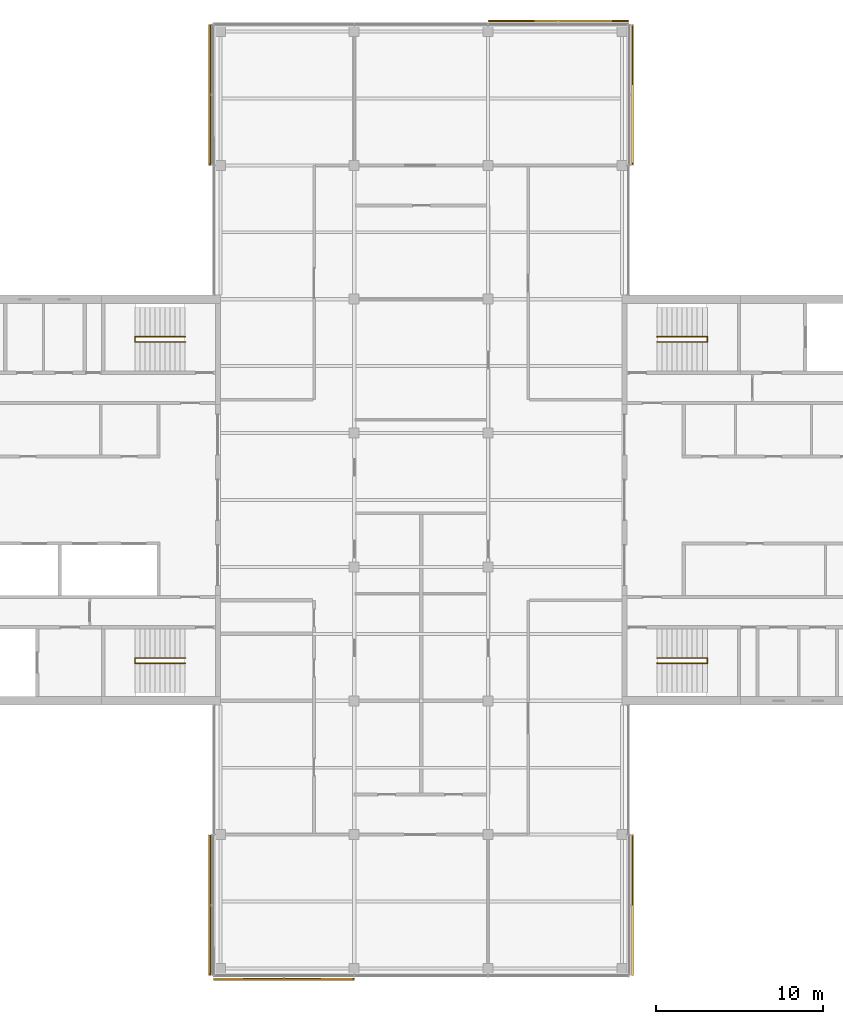
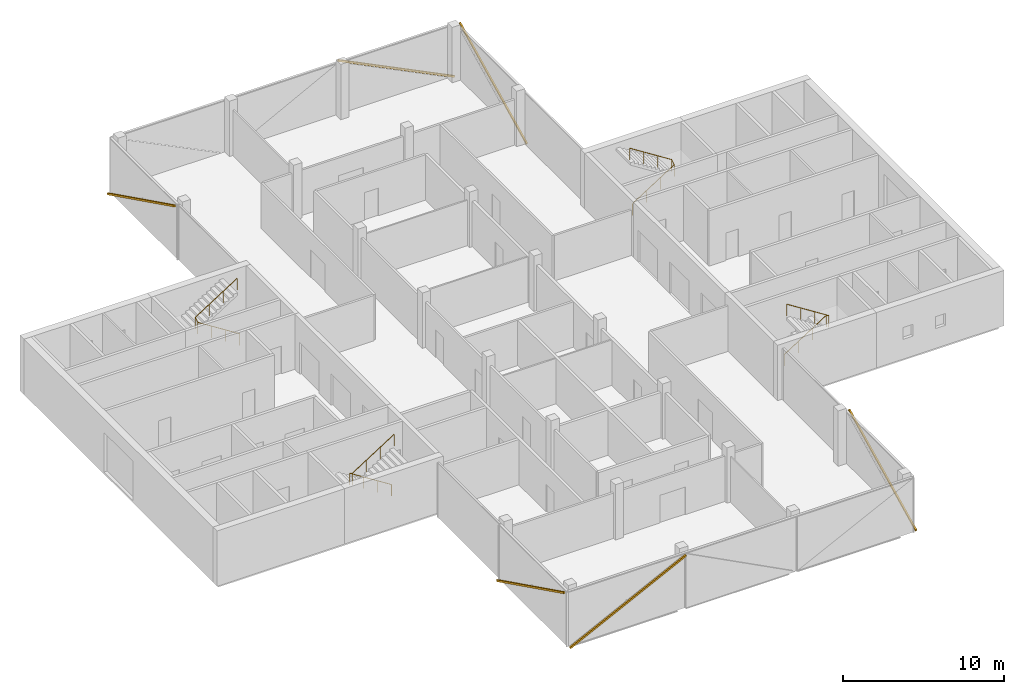
# One storey, part 15 of 15: 6 shading devices, 4 railings, 6 elements without a shape of their own.
"""IFC4 building model written with IfcOpenShell, lengths in metres."""

from ifc_helpers import new_model, si_unit, direction, frame, origin, origin_2d, place, context, subcontext, project, spatial, rectangle, circle, extrude, material, material_profile, profile_set, type_object, element, aggregate, save


model = new_model("IFC4")

# Units and contexts
model_context = context("Model", 3, precision=1e-05, world=origin(), true_north=direction((0.0, 1.0)))
body_context = subcontext(model_context, "Body", "Model", "MODEL_VIEW")
ifc_project = project(units=[si_unit("LENGTHUNIT", "METRE"), si_unit("AREAUNIT", "SQUARE_METRE"), si_unit("VOLUMEUNIT", "CUBIC_METRE"), si_unit("PLANEANGLEUNIT", "RADIAN"), si_unit("MASSUNIT", "GRAM", prefix="KILO")], contexts=[model_context])

# Site, building, storey
site_placement = place(None, origin())
site = spatial("IfcSite", under=ifc_project, at=site_placement, CompositionType="ELEMENT")
building_placement = place(site_placement, origin())
building = spatial("IfcBuilding", under=site, at=building_placement, Name="Crosswind Convention Tower", CompositionType="ELEMENT")
storey_placement = place(building_placement, frame((0.0, 0.0, 319.699951171875)))
storey = spatial("IfcBuildingStorey", under=building, at=storey_placement, Name="L69", CompositionType="ELEMENT", Elevation=319.699951171875)

# Railings
ifc_material_1 = material(Name="Stainless steel", Category="steel")
railing_type = type_object("IfcRailingType", Name="Stair handrail 900", PredefinedType="HANDRAIL", material=ifc_material_1)
railing_1_placement = place(storey_placement, frame((139.10009765625, 109.43994140625, 0.19091796875)))
element("IfcRailing", 1, at=railing_1_placement, inside=storey, type_object=railing_type, Name="Stair ST1 handrail L69", PredefinedType="HANDRAIL", context=body_context, shape_type="SweptSolid", body=[
    extrude(circle(Radius=0.02392578125, at=origin_2d()), frame((0.0, 0.0, 0.8759765625), z_axis=(0.843650179428, 0.0, 0.536893261973), x_axis=(0.0, 1.0, 0.0)), (0.0, 0.0, 1.0), 3.555908203125),
    extrude(circle(Radius=0.02392578125, at=origin_2d()), frame((3.0, 0.0, 2.78515625), z_axis=(0.0, 0.858819504967, 0.512278301208), x_axis=(-1.0, 0.0, 0.0)), (0.0, 0.0, 1.0), 0.372802734375),
    extrude(circle(Radius=0.02392578125, at=origin_2d()), frame((3.0, 0.320068359375, 2.97607421875), z_axis=(-0.843681277094, 0.0, 0.536844393359), x_axis=(0.0, -1.0, 0.0)), (0.0, 0.0, 1.0), 3.555908203125),
    extrude(circle(Radius=0.02099609375, at=origin_2d()), origin(), (0.0, 0.0, 1.0), 0.851806640625),
    extrude(circle(Radius=0.02099609375, at=origin_2d()), frame((1.0, 0.0, 0.636474609375)), (0.0, 0.0, 1.0), 0.851806640625),
    extrude(circle(Radius=0.02099609375, at=origin_2d()), frame((2.0, 0.0, 1.272705078125)), (0.0, 0.0, 1.0), 0.851806640625),
    extrude(circle(Radius=0.02099609375, at=origin_2d()), frame((3.0, 0.0, 1.9091796875)), (0.0, 0.0, 1.0), 0.851806640625),
    extrude(circle(Radius=0.02099609375, at=origin_2d()), frame((3.0, 0.320068359375, 2.10009765625)), (0.0, 0.0, 1.0), 0.851806640625),
    extrude(circle(Radius=0.02099609375, at=origin_2d()), frame((2.0, 0.320068359375, 2.736328125)), (0.0, 0.0, 1.0), 0.851806640625),
    extrude(circle(Radius=0.02099609375, at=origin_2d()), frame((1.0, 0.320068359375, 3.372802734375)), (0.0, 0.0, 1.0), 0.851806640625),
    extrude(circle(Radius=0.02099609375, at=origin_2d()), frame((0.0, 0.320068359375, 4.009033203125)), (0.0, 0.0, 1.0), 0.851806640625),
])
railing_2_placement = place(storey_placement, frame((139.10009765625, 90.56005859375, 0.19091796875)))
element("IfcRailing", 2, at=railing_2_placement, inside=storey, type_object=railing_type, Name="Stair ST2 handrail L69", PredefinedType="HANDRAIL", context=body_context, shape_type="SweptSolid", body=[
    extrude(circle(Radius=0.02392578125, at=origin_2d()), frame((0.0, 0.0, 0.8759765625), z_axis=(0.843650179428, 0.0, 0.536893261973), x_axis=(0.0, 1.0, 0.0)), (0.0, 0.0, 1.0), 3.555908203125),
    extrude(circle(Radius=0.02392578125, at=origin_2d()), frame((3.0, 0.0, 2.78515625), z_axis=(0.0, -0.858819504967, 0.512278301208), x_axis=(1.0, 0.0, 0.0)), (0.0, 0.0, 1.0), 0.372802734375),
    extrude(circle(Radius=0.02392578125, at=origin_2d()), frame((3.0, -0.320068359375, 2.97607421875), z_axis=(-0.843681277094, 0.0, 0.536844393359), x_axis=(0.0, -1.0, 0.0)), (0.0, 0.0, 1.0), 3.555908203125),
    extrude(circle(Radius=0.02099609375, at=origin_2d()), origin(), (0.0, 0.0, 1.0), 0.851806640625),
    extrude(circle(Radius=0.02099609375, at=origin_2d()), frame((1.0, 0.0, 0.636474609375)), (0.0, 0.0, 1.0), 0.851806640625),
    extrude(circle(Radius=0.02099609375, at=origin_2d()), frame((2.0, 0.0, 1.272705078125)), (0.0, 0.0, 1.0), 0.851806640625),
    extrude(circle(Radius=0.02099609375, at=origin_2d()), frame((3.0, 0.0, 1.9091796875)), (0.0, 0.0, 1.0), 0.851806640625),
    extrude(circle(Radius=0.02099609375, at=origin_2d()), frame((3.0, -0.320068359375, 2.10009765625)), (0.0, 0.0, 1.0), 0.851806640625),
    extrude(circle(Radius=0.02099609375, at=origin_2d()), frame((2.0, -0.320068359375, 2.736328125)), (0.0, 0.0, 1.0), 0.851806640625),
    extrude(circle(Radius=0.02099609375, at=origin_2d()), frame((1.0, -0.320068359375, 3.372802734375)), (0.0, 0.0, 1.0), 0.851806640625),
    extrude(circle(Radius=0.02099609375, at=origin_2d()), frame((0.0, -0.320068359375, 4.009033203125)), (0.0, 0.0, 1.0), 0.851806640625),
])
railing_3_placement = place(storey_placement, frame((110.89990234375, 90.56005859375, 0.19091796875)))
element("IfcRailing", 3, at=railing_3_placement, inside=storey, type_object=railing_type, Name="Stair ST3 handrail L69", PredefinedType="HANDRAIL", context=body_context, shape_type="SweptSolid", body=[
    extrude(circle(Radius=0.02392578125, at=origin_2d()), frame((0.0, 0.0, 0.8759765625), z_axis=(-0.843650179428, 0.0, 0.536893261973), x_axis=(0.0, -1.0, 0.0)), (0.0, 0.0, 1.0), 3.555908203125),
    extrude(circle(Radius=0.02392578125, at=origin_2d()), frame((-3.0, 0.0, 2.78515625), z_axis=(0.0, -0.858819504967, 0.512278301208), x_axis=(1.0, 0.0, 0.0)), (0.0, 0.0, 1.0), 0.372802734375),
    extrude(circle(Radius=0.02392578125, at=origin_2d()), frame((-3.0, -0.320068359375, 2.97607421875), z_axis=(0.843681277094, 0.0, 0.536844393359), x_axis=(0.0, 1.0, 0.0)), (0.0, 0.0, 1.0), 3.555908203125),
    extrude(circle(Radius=0.02099609375, at=origin_2d()), origin(), (0.0, 0.0, 1.0), 0.851806640625),
    extrude(circle(Radius=0.02099609375, at=origin_2d()), frame((-1.0, 0.0, 0.636474609375)), (0.0, 0.0, 1.0), 0.851806640625),
    extrude(circle(Radius=0.02099609375, at=origin_2d()), frame((-2.0, 0.0, 1.272705078125)), (0.0, 0.0, 1.0), 0.851806640625),
    extrude(circle(Radius=0.02099609375, at=origin_2d()), frame((-3.0, 0.0, 1.9091796875)), (0.0, 0.0, 1.0), 0.851806640625),
    extrude(circle(Radius=0.02099609375, at=origin_2d()), frame((-3.0, -0.320068359375, 2.10009765625)), (0.0, 0.0, 1.0), 0.851806640625),
    extrude(circle(Radius=0.02099609375, at=origin_2d()), frame((-2.0, -0.320068359375, 2.736328125)), (0.0, 0.0, 1.0), 0.851806640625),
    extrude(circle(Radius=0.02099609375, at=origin_2d()), frame((-1.0, -0.320068359375, 3.372802734375)), (0.0, 0.0, 1.0), 0.851806640625),
    extrude(circle(Radius=0.02099609375, at=origin_2d()), frame((0.0, -0.320068359375, 4.009033203125)), (0.0, 0.0, 1.0), 0.851806640625),
])
railing_4_placement = place(storey_placement, frame((110.89990234375, 109.43994140625, 0.19091796875)))
element("IfcRailing", 4, at=railing_4_placement, inside=storey, type_object=railing_type, Name="Stair ST4 handrail L69", PredefinedType="HANDRAIL", context=body_context, shape_type="SweptSolid", body=[
    extrude(circle(Radius=0.02392578125, at=origin_2d()), frame((0.0, 0.0, 0.8759765625), z_axis=(-0.843650179428, 0.0, 0.536893261973), x_axis=(0.0, -1.0, 0.0)), (0.0, 0.0, 1.0), 3.555908203125),
    extrude(circle(Radius=0.02392578125, at=origin_2d()), frame((-3.0, 0.0, 2.78515625), z_axis=(0.0, 0.858819504967, 0.512278301208), x_axis=(-1.0, 0.0, 0.0)), (0.0, 0.0, 1.0), 0.372802734375),
    extrude(circle(Radius=0.02392578125, at=origin_2d()), frame((-3.0, 0.320068359375, 2.97607421875), z_axis=(0.843681277094, 0.0, 0.536844393359), x_axis=(0.0, 1.0, 0.0)), (0.0, 0.0, 1.0), 3.555908203125),
    extrude(circle(Radius=0.02099609375, at=origin_2d()), origin(), (0.0, 0.0, 1.0), 0.851806640625),
    extrude(circle(Radius=0.02099609375, at=origin_2d()), frame((-1.0, 0.0, 0.636474609375)), (0.0, 0.0, 1.0), 0.851806640625),
    extrude(circle(Radius=0.02099609375, at=origin_2d()), frame((-2.0, 0.0, 1.272705078125)), (0.0, 0.0, 1.0), 0.851806640625),
    extrude(circle(Radius=0.02099609375, at=origin_2d()), frame((-3.0, 0.0, 1.9091796875)), (0.0, 0.0, 1.0), 0.851806640625),
    extrude(circle(Radius=0.02099609375, at=origin_2d()), frame((-3.0, 0.320068359375, 2.10009765625)), (0.0, 0.0, 1.0), 0.851806640625),
    extrude(circle(Radius=0.02099609375, at=origin_2d()), frame((-2.0, 0.320068359375, 2.736328125)), (0.0, 0.0, 1.0), 0.851806640625),
    extrude(circle(Radius=0.02099609375, at=origin_2d()), frame((-1.0, 0.320068359375, 3.372802734375)), (0.0, 0.0, 1.0), 0.851806640625),
    extrude(circle(Radius=0.02099609375, at=origin_2d()), frame((0.0, 0.320068359375, 4.009033203125)), (0.0, 0.0, 1.0), 0.851806640625),
])

# Curtain wall, shading device
ifc_material_2 = material(Name="Aluminium unitised curtain wall", Category="aluminium")
curtain_wall_type = type_object("IfcCurtainWallType", Name="OFFICE UNITISED WALL 220", PredefinedType="USERDEFINED", material=ifc_material_2)
curtain_wall_1_placement = place(storey_placement, origin())
curtain_wall_1 = element("IfcCurtainWall", 5, at=curtain_wall_1_placement, inside=storey, type_object=curtain_wall_type, Name="CW3 L69 N-E 1", ObjectType="UNITISED", PredefinedType="USERDEFINED")
ifc_material_3 = material(Name="Extruded terracotta", Category="masonry")
ifc_material_profile = material_profile(ifc_material_3, rectangle(XDim=0.110107421875, YDim=0.1298828125, at=origin_2d()), Name="TC 110X130")
ifc_profile_set = profile_set([ifc_material_profile], Name="Extruded terracotta")
shading_device_type = type_object("IfcShadingDeviceType", Name="TERRACOTTA BAGUETTE 130X110", PredefinedType="USERDEFINED", material=ifc_profile_set)
shading_device_1_placement = place(storey_placement, frame((137.631103515625, 120.034912109375, -0.300048828125), z_axis=(0.0, 0.896136229865, 0.443779063863), x_axis=(-1.0, 0.0, 0.0)))
shading_device_1 = element("IfcShadingDevice", 6, at=shading_device_1_placement, type_object=shading_device_type, Name="CW3 terracotta baguette 1", ObjectType="BAGUETTE", PredefinedType="USERDEFINED", context=body_context, shape_type="SweptSolid", body=[
    extrude(rectangle(XDim=0.110107421875, YDim=0.1298828125, at=origin_2d()), origin(), (0.0, 0.0, 1.0), 9.306640625),
])
aggregate(curtain_wall_1, [shading_device_1])

curtain_wall_2_placement = place(storey_placement, origin())
curtain_wall_2 = element("IfcCurtainWall", 7, at=curtain_wall_2_placement, inside=storey, type_object=curtain_wall_type, Name="CW3 L69 N-TIP 1", ObjectType="UNITISED", PredefinedType="USERDEFINED")
shading_device_2_placement = place(storey_placement, frame((137.375, 128.631103515625, -0.300048828125), z_axis=(-0.896136229865, 0.0, 0.443779063863), x_axis=(0.0, -1.0, 0.0)))
shading_device_2 = element("IfcShadingDevice", 8, at=shading_device_2_placement, type_object=shading_device_type, Name="CW3 terracotta baguette 1", ObjectType="BAGUETTE", PredefinedType="USERDEFINED", context=body_context, shape_type="SweptSolid", body=[
    extrude(rectangle(XDim=0.110107421875, YDim=0.1298828125, at=origin_2d()), origin(), (0.0, 0.0, 1.0), 9.306640625),
])
aggregate(curtain_wall_2, [shading_device_2])

curtain_wall_3_placement = place(storey_placement, origin())
curtain_wall_3 = element("IfcCurtainWall", 9, at=curtain_wall_3_placement, inside=storey, type_object=curtain_wall_type, Name="CW3 L69 N-W 1", ObjectType="UNITISED", PredefinedType="USERDEFINED")
shading_device_3_placement = place(storey_placement, frame((112.368896484375, 128.375, -0.300048828125), z_axis=(0.0, -0.896136229865, 0.443779063863), x_axis=(1.0, 0.0, 0.0)))
shading_device_3 = element("IfcShadingDevice", 10, at=shading_device_3_placement, type_object=shading_device_type, Name="CW3 terracotta baguette 1", ObjectType="BAGUETTE", PredefinedType="USERDEFINED", context=body_context, shape_type="SweptSolid", body=[
    extrude(rectangle(XDim=0.110107421875, YDim=0.1298828125, at=origin_2d()), origin(), (0.0, 0.0, 1.0), 9.306640625),
])
aggregate(curtain_wall_3, [shading_device_3])

curtain_wall_4_placement = place(storey_placement, origin())
curtain_wall_4 = element("IfcCurtainWall", 11, at=curtain_wall_4_placement, inside=storey, type_object=curtain_wall_type, Name="CW3 L69 S-W 1", ObjectType="UNITISED", PredefinedType="USERDEFINED")
shading_device_4_placement = place(storey_placement, frame((112.368896484375, 79.965087890625, -0.300048828125), z_axis=(0.0, -0.896136229865, 0.443779063863), x_axis=(1.0, 0.0, 0.0)))
shading_device_4 = element("IfcShadingDevice", 12, at=shading_device_4_placement, type_object=shading_device_type, Name="CW3 terracotta baguette 1", ObjectType="BAGUETTE", PredefinedType="USERDEFINED", context=body_context, shape_type="SweptSolid", body=[
    extrude(rectangle(XDim=0.110107421875, YDim=0.1298828125, at=origin_2d()), origin(), (0.0, 0.0, 1.0), 9.306640625),
])
aggregate(curtain_wall_4, [shading_device_4])

curtain_wall_5_placement = place(storey_placement, origin())
curtain_wall_5 = element("IfcCurtainWall", 13, at=curtain_wall_5_placement, inside=storey, type_object=curtain_wall_type, Name="CW3 L69 S-TIP 1", ObjectType="UNITISED", PredefinedType="USERDEFINED")
shading_device_5_placement = place(storey_placement, frame((112.625, 71.368896484375, -0.300048828125), z_axis=(0.896136229865, 0.0, 0.443779063863), x_axis=(0.0, 1.0, 0.0)))
shading_device_5 = element("IfcShadingDevice", 14, at=shading_device_5_placement, type_object=shading_device_type, Name="CW3 terracotta baguette 1", ObjectType="BAGUETTE", PredefinedType="USERDEFINED", context=body_context, shape_type="SweptSolid", body=[
    extrude(rectangle(XDim=0.110107421875, YDim=0.1298828125, at=origin_2d()), origin(), (0.0, 0.0, 1.0), 9.306640625),
])
aggregate(curtain_wall_5, [shading_device_5])

curtain_wall_6_placement = place(storey_placement, origin())
curtain_wall_6 = element("IfcCurtainWall", 15, at=curtain_wall_6_placement, inside=storey, type_object=curtain_wall_type, Name="CW3 L69 S-E 1", ObjectType="UNITISED", PredefinedType="USERDEFINED")
shading_device_6_placement = place(storey_placement, frame((137.631103515625, 71.625, -0.300048828125), z_axis=(0.0, 0.896136229865, 0.443779063863), x_axis=(-1.0, 0.0, 0.0)))
shading_device_6 = element("IfcShadingDevice", 16, at=shading_device_6_placement, type_object=shading_device_type, Name="CW3 terracotta baguette 1", ObjectType="BAGUETTE", PredefinedType="USERDEFINED", context=body_context, shape_type="SweptSolid", body=[
    extrude(rectangle(XDim=0.110107421875, YDim=0.1298828125, at=origin_2d()), origin(), (0.0, 0.0, 1.0), 9.306640625),
])
aggregate(curtain_wall_6, [shading_device_6])

save(model, "model.ifc")
